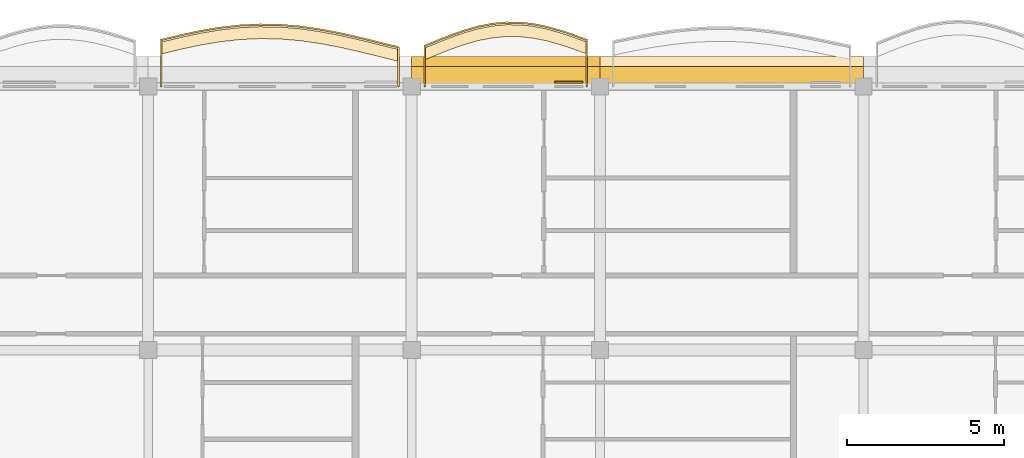
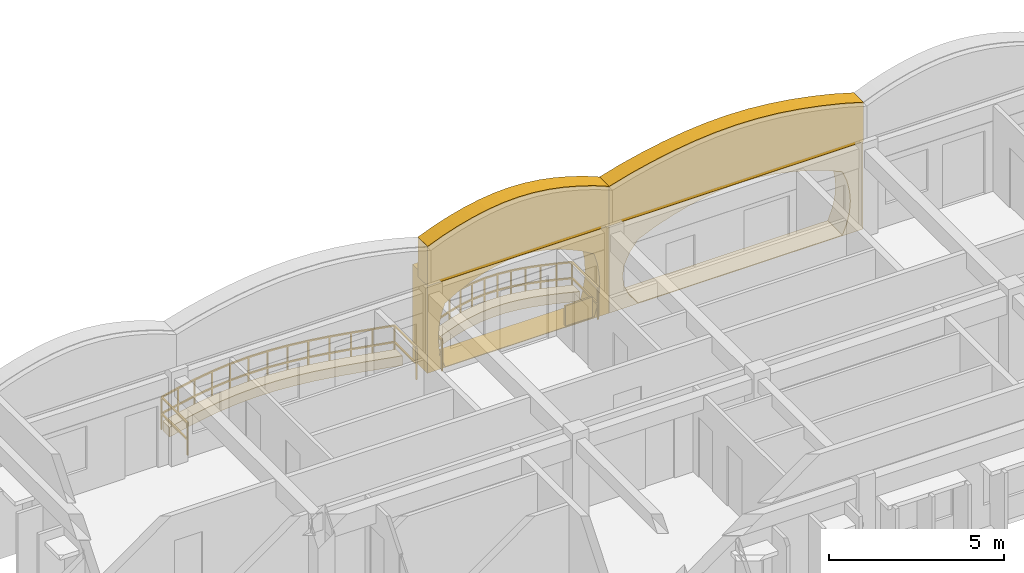
# One storey, part 24 of 28: 7 coverings, 2 railings.
"""IFC4 building model written with IfcOpenShell, lengths in metres."""

from ifc_helpers import new_model, si_unit, direction, frame, origin, origin_2d, place, context, subcontext, project, spatial, polyline, rectangle, outline, extrude, material, layer, layer_set, type_object, element, save


model = new_model("IFC4")

# Units and contexts
model_context = context("Model", 3, precision=1e-05, world=origin(), true_north=direction((0.0, 1.0)))
body_context = subcontext(model_context, "Body", "Model", "MODEL_VIEW")
ifc_project = project(units=[si_unit("LENGTHUNIT", "METRE"), si_unit("AREAUNIT", "SQUARE_METRE"), si_unit("VOLUMEUNIT", "CUBIC_METRE"), si_unit("PLANEANGLEUNIT", "RADIAN"), si_unit("MASSUNIT", "GRAM", prefix="KILO"), si_unit("THERMODYNAMICTEMPERATUREUNIT", "KELVIN")], contexts=[model_context])

# Site, building, storey
site_placement = place(None, origin())
site = spatial("IfcSite", under=ifc_project, at=site_placement, CompositionType="ELEMENT")
building_placement = place(site_placement, origin())
building = spatial("IfcBuilding", under=site, at=building_placement, Name="Thalorik Housing Commons", CompositionType="ELEMENT")
storey_placement = place(building_placement, frame((0.0, 0.0, 41.10009765625)))
storey = spatial("IfcBuildingStorey", under=building, at=storey_placement, Name="L12", CompositionType="ELEMENT", Elevation=41.10009765625)

# Coverings
ifc_material_1 = material(Name="Cobalt blue glazed ceramic facade tile panel", Category="masonry")
ifc_layer_1 = layer(ifc_material_1, 0.06005859375, Name="Cobalt blue glazed ceramic facade tile panel", Category="masonry")
ifc_layer_set_1 = layer_set([ifc_layer_1], Name="Cobalt blue glazed ceramic facade tile panel")
covering_type_1 = type_object("IfcCoveringType", Name="ARC-CLD-BLU-60", PredefinedType="CLADDING", material=ifc_layer_set_1)
covering_1_placement = place(storey_placement, frame((128.6103515625, 123.737548828125, 0.0498046875), z_axis=(0.0, 0.0, 1.0), x_axis=(-1.0, 0.0, 0.0)))
element("IfcCovering", 1, at=covering_1_placement, inside=storey, type_object=covering_type_1, Name="L12 De Stijl Recessed Window Spandrel 3277", PredefinedType="CLADDING", context=body_context, shape_type="SweptSolid", body=[
    extrude(rectangle(XDim=0.89990234375, YDim=0.06005859375, at=origin_2d()), origin(), (0.0, 0.0, 1.0), 0.699951171875),
])
ifc_material_2 = material(Name="Precast concrete C40/50", Category="concrete")
ifc_layer_2 = layer(ifc_material_2, 0.85009765625, Name="Precast concrete C40/50", Category="concrete")
ifc_layer_set_2 = layer_set([ifc_layer_2], Name="Precast concrete C40/50")
covering_type_2 = type_object("IfcCoveringType", Name="ARC-CLD-CUSH-850", PredefinedType="CLADDING", material=ifc_layer_set_2)
covering_2_placement = place(storey_placement, frame((133.800048828125, 124.12744140625, 0.0), z_axis=(0.0, 0.0, 1.0), x_axis=(-1.0, 0.0, 0.0)))
element("IfcCovering", 2, at=covering_2_placement, inside=storey, type_object=covering_type_2, Name="L12 White Precast Curved Cushion Bay Frame 3274", PredefinedType="CLADDING", context=body_context, shape_type="SweptSolid", body=[
    extrude(outline(polyline([(-4.199951171875, 0.0), (4.199951171875, 0.0), (4.199951171875, 3.300048828125), (-4.199951171875, 3.300048828125), (-4.199951171875, 0.0)]), holes=[polyline([(3.239990234375, 0.02490234375), (3.523193359375, 0.394287109375), (3.693359375, 0.76318359375), (3.75, 1.132568359375), (3.693359375, 1.501708984375), (3.523193359375, 1.870849609375), (3.239990234375, 2.239990234375), (2.677001953125, 2.4833984375), (2.1142578125, 2.6748046875), (1.55126953125, 2.82958984375), (0.98828125, 2.94482421875), (0.42529296875, 3.01611328125), (-0.137451171875, 3.0400390625), (-0.700439453125, 3.01611328125), (-1.26318359375, 2.94482421875), (-1.826171875, 2.82958984375), (-2.38916015625, 2.6748046875), (-2.9521484375, 2.4833984375), (-3.514892578125, 2.239990234375), (-3.65966796875, 1.870849609375), (-3.746337890625, 1.501708984375), (-3.775390625, 1.132568359375), (-3.746337890625, 0.76318359375), (-3.65966796875, 0.394287109375), (-3.514892578125, 0.02490234375), (3.239990234375, 0.02490234375)])]), frame((0.0, 0.425048828125, 0.0), z_axis=(0.0, -1.0, 0.0), x_axis=(1.0, 0.0, 0.0)), (0.0, 0.0, 1.0), 0.85009765625),
])
covering_3_placement = place(storey_placement, frame((126.60009765625, 124.12744140625, 0.0), z_axis=(0.0, 0.0, 1.0), x_axis=(-1.0, 0.0, 0.0)))
element("IfcCovering", 3, at=covering_3_placement, inside=storey, type_object=covering_type_2, Name="L12 White Precast Curved Cushion Bay Frame 3276", PredefinedType="CLADDING", context=body_context, shape_type="SweptSolid", body=[
    extrude(outline(polyline([(-3.0, 0.0), (3.0, 0.0), (3.0, 3.300048828125), (-3.0, 3.300048828125), (-3.0, 0.0)]), holes=[polyline([(2.41455078125, 0.02490234375), (2.5380859375, 0.394287109375), (2.6123046875, 0.76318359375), (2.63720703125, 1.132568359375), (2.6123046875, 1.501708984375), (2.5380859375, 1.870849609375), (2.41455078125, 2.239990234375), (2.004150390625, 2.4833984375), (1.59375, 2.6748046875), (1.183349609375, 2.82958984375), (0.77294921875, 2.94482421875), (0.362548828125, 3.01611328125), (-0.0478515625, 3.0400390625), (-0.458251953125, 3.01611328125), (-0.86865234375, 2.94482421875), (-1.279296875, 2.82958984375), (-1.689697265625, 2.6748046875), (-2.10009765625, 2.4833984375), (-2.510498046875, 2.239990234375), (-2.61376953125, 1.870849609375), (-2.67578125, 1.501708984375), (-2.6962890625, 1.132568359375), (-2.67578125, 0.76318359375), (-2.61376953125, 0.394287109375), (-2.510498046875, 0.02490234375), (2.41455078125, 0.02490234375)])]), frame((0.0, 0.425048828125, 0.0), z_axis=(0.0, -1.0, 0.0), x_axis=(1.0, 0.0, 0.0)), (0.0, 0.0, 1.0), 0.85009765625),
])
ifc_layer_3 = layer(ifc_material_2, 0.550048828125, Name="Precast concrete C40/50", Category="concrete")
ifc_layer_set_3 = layer_set([ifc_layer_3], Name="Precast concrete C40/50")
covering_type_3 = type_object("IfcCoveringType", Name="ARC-CLD-PAR-550", PredefinedType="CLADDING", material=ifc_layer_set_3)
covering_4_placement = place(storey_placement, frame((133.800048828125, 123.965087890625, 3.059814453125), z_axis=(0.0, 0.0, 1.0), x_axis=(-1.0, 0.0, 0.0)))
element("IfcCovering", 4, at=covering_4_placement, inside=storey, type_object=covering_type_3, Name="L12 Block B Scalloped White Precast Parapet Crest 3407", PredefinedType="CLADDING", context=body_context, shape_type="SweptSolid", body=[
    extrude(outline(polyline([(-4.199951171875, 0.0), (4.199951171875, 0.0), (4.199951171875, 1.3798828125), (3.5, 1.58154296875), (2.800048828125, 1.744384765625), (2.10009765625, 1.877685546875), (1.39990234375, 1.977294921875), (0.699951171875, 2.0390625), (0.0, 2.06005859375), (-0.699951171875, 2.0390625), (-1.39990234375, 1.977294921875), (-2.10009765625, 1.877685546875), (-2.800048828125, 1.744384765625), (-3.5, 1.58154296875), (-4.199951171875, 1.3798828125), (-4.199951171875, 0.0)])), frame((0.0, 0.27490234375, 0.0), z_axis=(0.0, -1.0, 0.0), x_axis=(1.0, 0.0, 0.0)), (0.0, 0.0, 1.0), 0.550048828125),
])
covering_5_placement = place(storey_placement, frame((126.60009765625, 123.965087890625, 3.059814453125), z_axis=(0.0, 0.0, 1.0), x_axis=(-1.0, 0.0, 0.0)))
element("IfcCovering", 5, at=covering_5_placement, inside=storey, type_object=covering_type_3, Name="L12 Block B Scalloped White Precast Parapet Crest 3408", PredefinedType="CLADDING", context=body_context, shape_type="SweptSolid", body=[
    extrude(outline(polyline([(-3.0, 0.0), (3.0, 0.0), (3.0, 1.3798828125), (2.5, 1.58154296875), (2.0, 1.744384765625), (1.5, 1.877685546875), (1.0, 1.977294921875), (0.5, 2.0390625), (0.0, 2.06005859375), (-0.5, 2.0390625), (-1.0, 1.977294921875), (-1.5, 1.877685546875), (-2.0, 1.744384765625), (-2.5, 1.58154296875), (-3.0, 1.3798828125), (-3.0, 0.0)])), frame((0.0, 0.27490234375, 0.0), z_axis=(0.0, -1.0, 0.0), x_axis=(1.0, 0.0, 0.0)), (0.0, 0.0, 1.0), 0.550048828125),
])
ifc_material_3 = material(Name="Planted vegetated substrate and terracotta trough", Category="masonry")
ifc_layer_4 = layer(ifc_material_3, 0.340087890625, Name="Planted vegetated substrate and terracotta trough", Category="masonry")
ifc_layer_set_4 = layer_set([ifc_layer_4], Name="Planted vegetated substrate and terracotta trough")
covering_type_4 = type_object("IfcCoveringType", Name="ARC-COV-PLANTER", PredefinedType="USERDEFINED", material=ifc_layer_set_4)
covering_6_placement = place(storey_placement, origin())
element("IfcCovering", 6, at=covering_6_placement, inside=storey, type_object=covering_type_4, Name="L12 Balcony Slab-Edge Planted Trough 5559", ObjectType="PLANTER", PredefinedType="USERDEFINED", context=body_context, shape_type="SweptSolid", body=[
    extrude(outline(polyline([(123.179931640625, 124.78271484375), (122.550048828125, 124.938720703125), (121.919921875, 125.0927734375), (121.2900390625, 125.234619140625), (120.659912109375, 125.35400390625), (120.030029296875, 125.443115234375), (119.39990234375, 125.49560546875), (118.77001953125, 125.507080078125), (118.139892578125, 125.477294921875), (117.510009765625, 125.40771484375), (116.8798828125, 125.302978515625), (116.25, 125.170166015625), (115.6201171875, 125.017822265625), (115.6201171875, 124.6376953125), (116.25, 124.7900390625), (116.8798828125, 124.923095703125), (117.510009765625, 125.02783203125), (118.139892578125, 125.097412109375), (118.77001953125, 125.127197265625), (119.39990234375, 125.115478515625), (120.030029296875, 125.063232421875), (120.659912109375, 124.97412109375), (121.2900390625, 124.8544921875), (121.919921875, 124.712890625), (122.550048828125, 124.55859375), (123.179931640625, 124.402587890625), (123.179931640625, 124.78271484375)])), origin(), (0.0, 0.0, 1.0), 0.33984375),
])
covering_7_placement = place(storey_placement, origin())
element("IfcCovering", 7, at=covering_7_placement, inside=storey, type_object=covering_type_4, Name="L12 Balcony Slab-Edge Planted Trough 5560", ObjectType="PLANTER", PredefinedType="USERDEFINED", context=body_context, shape_type="SweptSolid", body=[
    extrude(outline(polyline([(129.179931640625, 125.017578125), (128.75, 125.17578125), (128.320068359375, 125.31884765625), (127.889892578125, 125.43701171875), (127.4599609375, 125.522216796875), (127.030029296875, 125.56787109375), (126.60009765625, 125.570556640625), (126.169921875, 125.529296875), (125.739990234375, 125.446533203125), (125.31005859375, 125.3271484375), (124.8798828125, 125.17822265625), (124.449951171875, 125.009521484375), (124.02001953125, 124.83154296875), (124.02001953125, 124.45166015625), (124.449951171875, 124.62939453125), (124.8798828125, 124.798095703125), (125.31005859375, 124.947021484375), (125.739990234375, 125.066650390625), (126.169921875, 125.1494140625), (126.60009765625, 125.1904296875), (127.030029296875, 125.187744140625), (127.4599609375, 125.14208984375), (127.889892578125, 125.05712890625), (128.320068359375, 124.938720703125), (128.75, 124.795654296875), (129.179931640625, 124.6376953125), (129.179931640625, 125.017578125)])), origin(), (0.0, 0.0, 1.0), 0.33984375),
])

# Railings
ifc_material_4 = material(Name="Steel S355", Category="steel")
railing_type_1 = type_object("IfcRailingType", Name="ARC-RL-BAL-112", PredefinedType="BALUSTRADE", material=ifc_material_4)
railing_1_placement = place(storey_placement, frame((129.179931640625, 123.60009765625, 0.0)))
element("IfcRailing", 8, at=railing_1_placement, inside=storey, type_object=railing_type_1, Name="L12 Cushion Balcony Guardrail 244", PredefinedType="BALUSTRADE", context=body_context, shape_type="SweptSolid", body=[
    extrude(rectangle(XDim=0.050048828125, YDim=0.050048828125, at=origin_2d()), frame((0.0, 0.0, 1.09521484375), z_axis=(0.0, 1.0, 0.0), x_axis=(-1.0, 0.0, 0.0)), (0.0, 0.0, 1.0), 1.487548828125),
    extrude(rectangle(XDim=0.050048828125, YDim=0.050048828125, at=origin_2d()), frame((0.0, 0.0, 0.53515625), z_axis=(0.0, 1.0, 0.0), x_axis=(-1.0, 0.0, 0.0)), (0.0, 0.0, 1.0), 1.487548828125),
    extrude(rectangle(XDim=0.050048828125, YDim=0.050048828125, at=origin_2d()), frame((0.0, 1.487548828125, 1.09521484375), z_axis=(-0.938652153889, 0.34486538533, 0.0), x_axis=(-0.34486538533, -0.938652153889, 0.0)), (0.0, 0.0, 1.0), 0.4580078125),
    extrude(rectangle(XDim=0.050048828125, YDim=0.050048828125, at=origin_2d()), frame((0.0, 1.487548828125, 0.53515625), z_axis=(-0.938652153889, 0.34486538533, 0.0), x_axis=(-0.34486538533, -0.938652153889, 0.0)), (0.0, 0.0, 1.0), 0.4580078125),
    extrude(rectangle(XDim=0.050048828125, YDim=0.050048828125, at=origin_2d()), frame((-0.429931640625, 1.6455078125, 1.09521484375), z_axis=(-0.948683298051, 0.316227766017, 0.0), x_axis=(-0.316227766017, -0.948683298051, 0.0)), (0.0, 0.0, 1.0), 0.453125),
    extrude(rectangle(XDim=0.050048828125, YDim=0.050048828125, at=origin_2d()), frame((-0.429931640625, 1.6455078125, 0.53515625), z_axis=(-0.948683298051, 0.316227766017, 0.0), x_axis=(-0.316227766017, -0.948683298051, 0.0)), (0.0, 0.0, 1.0), 0.453125),
    extrude(rectangle(XDim=0.050048828125, YDim=0.050048828125, at=origin_2d()), frame((-0.85986328125, 1.788818359375, 1.09521484375), z_axis=(-0.964282306479, 0.264876638102, 0.0), x_axis=(-0.264876638102, -0.964282306479, 0.0)), (0.0, 0.0, 1.0), 0.446044921875),
    extrude(rectangle(XDim=0.050048828125, YDim=0.050048828125, at=origin_2d()), frame((-0.85986328125, 1.788818359375, 0.53515625), z_axis=(-0.964282306479, 0.264876638102, 0.0), x_axis=(-0.264876638102, -0.964282306479, 0.0)), (0.0, 0.0, 1.0), 0.446044921875),
    extrude(rectangle(XDim=0.050048828125, YDim=0.050048828125, at=origin_2d()), frame((-1.2900390625, 1.906982421875, 1.09521484375), z_axis=(-0.981028048733, 0.193865849494, 0.0), x_axis=(-0.193865849494, -0.981028048733, 0.0)), (0.0, 0.0, 1.0), 0.438232421875),
    extrude(rectangle(XDim=0.050048828125, YDim=0.050048828125, at=origin_2d()), frame((-1.2900390625, 1.906982421875, 0.53515625), z_axis=(-0.981028048733, 0.193865849494, 0.0), x_axis=(-0.193865849494, -0.981028048733, 0.0)), (0.0, 0.0, 1.0), 0.438232421875),
    extrude(rectangle(XDim=0.050048828125, YDim=0.050048828125, at=origin_2d()), frame((-1.719970703125, 1.991943359375, 1.09521484375), z_axis=(-0.994409116474, 0.105595970915, 0.0), x_axis=(-0.105595970915, -0.994409116474, 0.0)), (0.0, 0.0, 1.0), 0.432373046875),
    extrude(rectangle(XDim=0.050048828125, YDim=0.050048828125, at=origin_2d()), frame((-1.719970703125, 1.991943359375, 0.53515625), z_axis=(-0.994409116474, 0.105595970915, 0.0), x_axis=(-0.105595970915, -0.994409116474, 0.0)), (0.0, 0.0, 1.0), 0.432373046875),
    extrude(rectangle(XDim=0.050048828125, YDim=0.050048828125, at=origin_2d()), frame((-2.14990234375, 2.03759765625, 1.09521484375), z_axis=(-0.999980491497, 0.006246329021, 0.0), x_axis=(-0.006246329021, -0.999980491497, 0.0)), (0.0, 0.0, 1.0), 0.429931640625),
    extrude(rectangle(XDim=0.050048828125, YDim=0.050048828125, at=origin_2d()), frame((-2.14990234375, 2.03759765625, 0.53515625), z_axis=(-0.999980491497, 0.006246329021, 0.0), x_axis=(-0.006246329021, -0.999980491497, 0.0)), (0.0, 0.0, 1.0), 0.429931640625),
    extrude(rectangle(XDim=0.050048828125, YDim=0.050048828125, at=origin_2d()), frame((-2.579833984375, 2.040283203125, 1.09521484375), z_axis=(-0.995485310034, -0.094915738982, 0.0), x_axis=(0.094915738982, -0.995485310034, 0.0)), (0.0, 0.0, 1.0), 0.43212890625),
    extrude(rectangle(XDim=0.050048828125, YDim=0.050048828125, at=origin_2d()), frame((-2.579833984375, 2.040283203125, 0.53515625), z_axis=(-0.995485310034, -0.094915738982, 0.0), x_axis=(0.094915738982, -0.995485310034, 0.0)), (0.0, 0.0, 1.0), 0.43212890625),
    extrude(rectangle(XDim=0.050048828125, YDim=0.050048828125, at=origin_2d()), frame((-3.010009765625, 1.999267578125, 1.09521484375), z_axis=(-0.98197063341, -0.189033529089, 0.0), x_axis=(0.189033529089, -0.98197063341, 0.0)), (0.0, 0.0, 1.0), 0.437744140625),
    extrude(rectangle(XDim=0.050048828125, YDim=0.050048828125, at=origin_2d()), frame((-3.010009765625, 1.999267578125, 0.53515625), z_axis=(-0.98197063341, -0.189033529089, 0.0), x_axis=(0.189033529089, -0.98197063341, 0.0)), (0.0, 0.0, 1.0), 0.437744140625),
    extrude(rectangle(XDim=0.050048828125, YDim=0.050048828125, at=origin_2d()), frame((-3.43994140625, 1.91650390625, 1.09521484375), z_axis=(-0.963541422637, -0.267559202538, 0.0), x_axis=(0.267559202538, -0.963541422637, 0.0)), (0.0, 0.0, 1.0), 0.4462890625),
    extrude(rectangle(XDim=0.050048828125, YDim=0.050048828125, at=origin_2d()), frame((-3.43994140625, 1.91650390625, 0.53515625), z_axis=(-0.963541422637, -0.267559202538, 0.0), x_axis=(0.267559202538, -0.963541422637, 0.0)), (0.0, 0.0, 1.0), 0.4462890625),
    extrude(rectangle(XDim=0.050048828125, YDim=0.050048828125, at=origin_2d()), frame((-3.869873046875, 1.797119140625, 1.09521484375), z_axis=(-0.944973320371, -0.327147403761, 0.0), x_axis=(0.327147403761, -0.944973320371, 0.0)), (0.0, 0.0, 1.0), 0.455322265625),
    extrude(rectangle(XDim=0.050048828125, YDim=0.050048828125, at=origin_2d()), frame((-3.869873046875, 1.797119140625, 0.53515625), z_axis=(-0.944973320371, -0.327147403761, 0.0), x_axis=(0.327147403761, -0.944973320371, 0.0)), (0.0, 0.0, 1.0), 0.455322265625),
    extrude(rectangle(XDim=0.050048828125, YDim=0.050048828125, at=origin_2d()), frame((-4.300048828125, 1.648193359375, 1.09521484375), z_axis=(-0.930899197283, -0.365276175651, 0.0), x_axis=(0.365276175651, -0.930899197283, 0.0)), (0.0, 0.0, 1.0), 0.4619140625),
    extrude(rectangle(XDim=0.050048828125, YDim=0.050048828125, at=origin_2d()), frame((-4.300048828125, 1.648193359375, 0.53515625), z_axis=(-0.930899197283, -0.365276175651, 0.0), x_axis=(0.365276175651, -0.930899197283, 0.0)), (0.0, 0.0, 1.0), 0.4619140625),
    extrude(rectangle(XDim=0.050048828125, YDim=0.050048828125, at=origin_2d()), frame((-4.72998046875, 1.4794921875, 1.09521484375), z_axis=(-0.923959293734, -0.382490814953, 0.0), x_axis=(0.382490814953, -0.923959293734, 0.0)), (0.0, 0.0, 1.0), 0.46533203125),
    extrude(rectangle(XDim=0.050048828125, YDim=0.050048828125, at=origin_2d()), frame((-4.72998046875, 1.4794921875, 0.53515625), z_axis=(-0.923959293734, -0.382490814953, 0.0), x_axis=(0.382490814953, -0.923959293734, 0.0)), (0.0, 0.0, 1.0), 0.46533203125),
    extrude(rectangle(XDim=0.050048828125, YDim=0.050048828125, at=origin_2d()), frame((-5.159912109375, 1.301513671875, 1.09521484375), z_axis=(0.0, -1.0, 0.0), x_axis=(1.0, 0.0, 0.0)), (0.0, 0.0, 1.0), 1.301513671875),
    extrude(rectangle(XDim=0.050048828125, YDim=0.050048828125, at=origin_2d()), frame((-5.159912109375, 1.301513671875, 0.53515625), z_axis=(0.0, -1.0, 0.0), x_axis=(1.0, 0.0, 0.0)), (0.0, 0.0, 1.0), 1.301513671875),
    extrude(rectangle(XDim=0.0419921875, YDim=0.0419921875, at=origin_2d()), origin(), (0.0, 0.0, 1.0), 1.070068359375),
    extrude(rectangle(XDim=0.0419921875, YDim=0.0419921875, at=origin_2d()), frame((0.0, 1.487548828125, 0.0)), (0.0, 0.0, 1.0), 1.070068359375),
    extrude(rectangle(XDim=0.0419921875, YDim=0.0419921875, at=origin_2d()), frame((-0.429931640625, 1.6455078125, 0.0)), (0.0, 0.0, 1.0), 1.070068359375),
    extrude(rectangle(XDim=0.0419921875, YDim=0.0419921875, at=origin_2d()), frame((-0.85986328125, 1.788818359375, 0.0)), (0.0, 0.0, 1.0), 1.070068359375),
    extrude(rectangle(XDim=0.0419921875, YDim=0.0419921875, at=origin_2d()), frame((-1.2900390625, 1.906982421875, 0.0)), (0.0, 0.0, 1.0), 1.070068359375),
    extrude(rectangle(XDim=0.0419921875, YDim=0.0419921875, at=origin_2d()), frame((-1.719970703125, 1.991943359375, 0.0)), (0.0, 0.0, 1.0), 1.070068359375),
    extrude(rectangle(XDim=0.0419921875, YDim=0.0419921875, at=origin_2d()), frame((-2.14990234375, 2.03759765625, 0.0)), (0.0, 0.0, 1.0), 1.070068359375),
    extrude(rectangle(XDim=0.0419921875, YDim=0.0419921875, at=origin_2d()), frame((-2.579833984375, 2.040283203125, 0.0)), (0.0, 0.0, 1.0), 1.070068359375),
    extrude(rectangle(XDim=0.0419921875, YDim=0.0419921875, at=origin_2d()), frame((-3.010009765625, 1.999267578125, 0.0)), (0.0, 0.0, 1.0), 1.070068359375),
    extrude(rectangle(XDim=0.0419921875, YDim=0.0419921875, at=origin_2d()), frame((-3.43994140625, 1.91650390625, 0.0)), (0.0, 0.0, 1.0), 1.070068359375),
    extrude(rectangle(XDim=0.0419921875, YDim=0.0419921875, at=origin_2d()), frame((-3.869873046875, 1.797119140625, 0.0)), (0.0, 0.0, 1.0), 1.070068359375),
    extrude(rectangle(XDim=0.0419921875, YDim=0.0419921875, at=origin_2d()), frame((-4.300048828125, 1.648193359375, 0.0)), (0.0, 0.0, 1.0), 1.070068359375),
    extrude(rectangle(XDim=0.0419921875, YDim=0.0419921875, at=origin_2d()), frame((-4.72998046875, 1.4794921875, 0.0)), (0.0, 0.0, 1.0), 1.070068359375),
    extrude(rectangle(XDim=0.0419921875, YDim=0.0419921875, at=origin_2d()), frame((-5.159912109375, 1.301513671875, 0.0)), (0.0, 0.0, 1.0), 1.070068359375),
    extrude(rectangle(XDim=0.0419921875, YDim=0.0419921875, at=origin_2d()), frame((-5.159912109375, 0.0, 0.0)), (0.0, 0.0, 1.0), 1.070068359375),
])
railing_type_2 = type_object("IfcRailingType", Name="ARC-RL-BAL-115", PredefinedType="BALUSTRADE", material=ifc_material_4)
railing_2_placement = place(storey_placement, frame((123.179931640625, 123.60009765625, 0.0)))
element("IfcRailing", 9, at=railing_2_placement, inside=storey, type_object=railing_type_2, Name="L12 Cushion Balcony Guardrail 243", PredefinedType="BALUSTRADE", context=body_context, shape_type="SweptSolid", body=[
    extrude(rectangle(XDim=0.050048828125, YDim=0.050048828125, at=origin_2d()), frame((0.0, 0.0, 1.125), z_axis=(0.0, 1.0, 0.0), x_axis=(-1.0, 0.0, 0.0)), (0.0, 0.0, 1.0), 1.25244140625),
    extrude(rectangle(XDim=0.050048828125, YDim=0.050048828125, at=origin_2d()), frame((0.0, 0.0, 0.5498046875), z_axis=(0.0, 1.0, 0.0), x_axis=(-1.0, 0.0, 0.0)), (0.0, 0.0, 1.0), 1.25244140625),
    extrude(rectangle(XDim=0.050048828125, YDim=0.050048828125, at=origin_2d()), frame((0.0, 1.25244140625, 1.125), z_axis=(-0.970583467402, 0.240764891139, 0.0), x_axis=(-0.240764891139, -0.970583467402, 0.0)), (0.0, 0.0, 1.0), 0.64892578125),
    extrude(rectangle(XDim=0.050048828125, YDim=0.050048828125, at=origin_2d()), frame((0.0, 1.25244140625, 0.5498046875), z_axis=(-0.970583467402, 0.240764891139, 0.0), x_axis=(-0.240764891139, -0.970583467402, 0.0)), (0.0, 0.0, 1.0), 0.64892578125),
    extrude(rectangle(XDim=0.050048828125, YDim=0.050048828125, at=origin_2d()), frame((-0.6298828125, 1.40869140625, 1.125), z_axis=(-0.971391289327, 0.237484658491, 0.0), x_axis=(-0.237484658491, -0.971391289328, 0.0)), (0.0, 0.0, 1.0), 0.648681640625),
    extrude(rectangle(XDim=0.050048828125, YDim=0.050048828125, at=origin_2d()), frame((-0.6298828125, 1.40869140625, 0.5498046875), z_axis=(-0.971391289327, 0.237484658491, 0.0), x_axis=(-0.237484658491, -0.971391289328, 0.0)), (0.0, 0.0, 1.0), 0.648681640625),
    extrude(rectangle(XDim=0.050048828125, YDim=0.050048828125, at=origin_2d()), frame((-1.260009765625, 1.562744140625, 1.125), z_axis=(-0.975569249929, 0.219692145042, 0.0), x_axis=(-0.219692145042, -0.975569249929, 0.0)), (0.0, 0.0, 1.0), 0.645751953125),
    extrude(rectangle(XDim=0.050048828125, YDim=0.050048828125, at=origin_2d()), frame((-1.260009765625, 1.562744140625, 0.5498046875), z_axis=(-0.975569249929, 0.219692145042, 0.0), x_axis=(-0.219692145042, -0.975569249929, 0.0)), (0.0, 0.0, 1.0), 0.645751953125),
    extrude(rectangle(XDim=0.050048828125, YDim=0.050048828125, at=origin_2d()), frame((-1.889892578125, 1.70458984375, 1.125), z_axis=(-0.982521352242, 0.186149919119, 0.0), x_axis=(-0.186149919119, -0.982521352242, 0.0)), (0.0, 0.0, 1.0), 0.641357421875),
    extrude(rectangle(XDim=0.050048828125, YDim=0.050048828125, at=origin_2d()), frame((-1.889892578125, 1.70458984375, 0.5498046875), z_axis=(-0.982521352242, 0.186149919119, 0.0), x_axis=(-0.186149919119, -0.982521352242, 0.0)), (0.0, 0.0, 1.0), 0.641357421875),
    extrude(rectangle(XDim=0.050048828125, YDim=0.050048828125, at=origin_2d()), frame((-2.52001953125, 1.823974609375, 1.125), z_axis=(-0.990140470078, 0.14007801224, 0.0), x_axis=(-0.14007801224, -0.990140470078, 0.0)), (0.0, 0.0, 1.0), 0.63623046875),
    extrude(rectangle(XDim=0.050048828125, YDim=0.050048828125, at=origin_2d()), frame((-2.52001953125, 1.823974609375, 0.5498046875), z_axis=(-0.990140470078, 0.14007801224, 0.0), x_axis=(-0.14007801224, -0.990140470078, 0.0)), (0.0, 0.0, 1.0), 0.63623046875),
    extrude(rectangle(XDim=0.050048828125, YDim=0.050048828125, at=origin_2d()), frame((-3.14990234375, 1.9130859375, 1.125), z_axis=(-0.996580289475, 0.082630058872, 0.0), x_axis=(-0.082630058872, -0.996580289475, 0.0)), (0.0, 0.0, 1.0), 0.63232421875),
    extrude(rectangle(XDim=0.050048828125, YDim=0.050048828125, at=origin_2d()), frame((-3.14990234375, 1.9130859375, 0.5498046875), z_axis=(-0.996580289475, 0.082630058872, 0.0), x_axis=(-0.082630058872, -0.996580289475, 0.0)), (0.0, 0.0, 1.0), 0.63232421875),
    extrude(rectangle(XDim=0.050048828125, YDim=0.050048828125, at=origin_2d()), frame((-3.780029296875, 1.96533203125, 1.125), z_axis=(-0.999826978393, 0.018601432156, 0.0), x_axis=(-0.018601432156, -0.999826978393, 0.0)), (0.0, 0.0, 1.0), 0.6298828125),
    extrude(rectangle(XDim=0.050048828125, YDim=0.050048828125, at=origin_2d()), frame((-3.780029296875, 1.96533203125, 0.5498046875), z_axis=(-0.999826978393, 0.018601432156, 0.0), x_axis=(-0.018601432156, -0.999826978393, 0.0)), (0.0, 0.0, 1.0), 0.6298828125),
    extrude(rectangle(XDim=0.050048828125, YDim=0.050048828125, at=origin_2d()), frame((-4.409912109375, 1.97705078125, 1.125), z_axis=(-0.998884713002, -0.047215782637, 0.0), x_axis=(0.047215782637, -0.998884713002, 0.0)), (0.0, 0.0, 1.0), 0.630859375),
    extrude(rectangle(XDim=0.050048828125, YDim=0.050048828125, at=origin_2d()), frame((-4.409912109375, 1.97705078125, 0.5498046875), z_axis=(-0.998884713002, -0.047215782637, 0.0), x_axis=(0.047215782637, -0.998884713002, 0.0)), (0.0, 0.0, 1.0), 0.630859375),
    extrude(rectangle(XDim=0.050048828125, YDim=0.050048828125, at=origin_2d()), frame((-5.0400390625, 1.947265625, 1.125), z_axis=(-0.993954005493, -0.109797244793, 0.0), x_axis=(0.109797244793, -0.993954005493, 0.0)), (0.0, 0.0, 1.0), 0.6337890625),
    extrude(rectangle(XDim=0.050048828125, YDim=0.050048828125, at=origin_2d()), frame((-5.0400390625, 1.947265625, 0.5498046875), z_axis=(-0.993954005493, -0.109797244793, 0.0), x_axis=(0.109797244793, -0.993954005493, 0.0)), (0.0, 0.0, 1.0), 0.6337890625),
    extrude(rectangle(XDim=0.050048828125, YDim=0.050048828125, at=origin_2d()), frame((-5.669921875, 1.877685546875, 1.125), z_axis=(-0.98646613711, -0.163965119264, 0.0), x_axis=(0.163965119264, -0.98646613711, 0.0)), (0.0, 0.0, 1.0), 0.638671875),
    extrude(rectangle(XDim=0.050048828125, YDim=0.050048828125, at=origin_2d()), frame((-5.669921875, 1.877685546875, 0.5498046875), z_axis=(-0.98646613711, -0.163965119264, 0.0), x_axis=(0.163965119264, -0.98646613711, 0.0)), (0.0, 0.0, 1.0), 0.638671875),
    extrude(rectangle(XDim=0.050048828125, YDim=0.050048828125, at=origin_2d()), frame((-6.300048828125, 1.77294921875, 1.125), z_axis=(-0.978408728904, -0.206679363276, 0.0), x_axis=(0.206679363276, -0.978408728904, 0.0)), (0.0, 0.0, 1.0), 0.643798828125),
    extrude(rectangle(XDim=0.050048828125, YDim=0.050048828125, at=origin_2d()), frame((-6.300048828125, 1.77294921875, 0.5498046875), z_axis=(-0.978408728904, -0.206679363276, 0.0), x_axis=(0.206679363276, -0.978408728904, 0.0)), (0.0, 0.0, 1.0), 0.643798828125),
    extrude(rectangle(XDim=0.050048828125, YDim=0.050048828125, at=origin_2d()), frame((-6.929931640625, 1.639892578125, 1.125), z_axis=(-0.972061461367, -0.23472646916, 0.0), x_axis=(0.23472646916, -0.972061461367, 0.0)), (0.0, 0.0, 1.0), 0.64794921875),
    extrude(rectangle(XDim=0.050048828125, YDim=0.050048828125, at=origin_2d()), frame((-6.929931640625, 1.639892578125, 0.5498046875), z_axis=(-0.972061461367, -0.23472646916, 0.0), x_axis=(0.23472646916, -0.972061461367, 0.0)), (0.0, 0.0, 1.0), 0.64794921875),
    extrude(rectangle(XDim=0.050048828125, YDim=0.050048828125, at=origin_2d()), frame((-7.559814453125, 1.48779296875, 1.125), z_axis=(0.0, -1.0, 0.0), x_axis=(1.0, 0.0, 0.0)), (0.0, 0.0, 1.0), 1.48779296875),
    extrude(rectangle(XDim=0.050048828125, YDim=0.050048828125, at=origin_2d()), frame((-7.559814453125, 1.48779296875, 0.5498046875), z_axis=(0.0, -1.0, 0.0), x_axis=(1.0, 0.0, 0.0)), (0.0, 0.0, 1.0), 1.48779296875),
    extrude(rectangle(XDim=0.0419921875, YDim=0.0419921875, at=origin_2d()), origin(), (0.0, 0.0, 1.0), 1.099853515625),
    extrude(rectangle(XDim=0.0419921875, YDim=0.0419921875, at=origin_2d()), frame((0.0, 1.25244140625, 0.0)), (0.0, 0.0, 1.0), 1.099853515625),
    extrude(rectangle(XDim=0.0419921875, YDim=0.0419921875, at=origin_2d()), frame((-0.6298828125, 1.40869140625, 0.0)), (0.0, 0.0, 1.0), 1.099853515625),
    extrude(rectangle(XDim=0.0419921875, YDim=0.0419921875, at=origin_2d()), frame((-1.260009765625, 1.562744140625, 0.0)), (0.0, 0.0, 1.0), 1.099853515625),
    extrude(rectangle(XDim=0.0419921875, YDim=0.0419921875, at=origin_2d()), frame((-1.889892578125, 1.70458984375, 0.0)), (0.0, 0.0, 1.0), 1.099853515625),
    extrude(rectangle(XDim=0.0419921875, YDim=0.0419921875, at=origin_2d()), frame((-2.52001953125, 1.823974609375, 0.0)), (0.0, 0.0, 1.0), 1.099853515625),
    extrude(rectangle(XDim=0.0419921875, YDim=0.0419921875, at=origin_2d()), frame((-3.14990234375, 1.9130859375, 0.0)), (0.0, 0.0, 1.0), 1.099853515625),
    extrude(rectangle(XDim=0.0419921875, YDim=0.0419921875, at=origin_2d()), frame((-3.780029296875, 1.96533203125, 0.0)), (0.0, 0.0, 1.0), 1.099853515625),
    extrude(rectangle(XDim=0.0419921875, YDim=0.0419921875, at=origin_2d()), frame((-4.409912109375, 1.97705078125, 0.0)), (0.0, 0.0, 1.0), 1.099853515625),
    extrude(rectangle(XDim=0.0419921875, YDim=0.0419921875, at=origin_2d()), frame((-5.0400390625, 1.947265625, 0.0)), (0.0, 0.0, 1.0), 1.099853515625),
    extrude(rectangle(XDim=0.0419921875, YDim=0.0419921875, at=origin_2d()), frame((-5.669921875, 1.877685546875, 0.0)), (0.0, 0.0, 1.0), 1.099853515625),
    extrude(rectangle(XDim=0.0419921875, YDim=0.0419921875, at=origin_2d()), frame((-6.300048828125, 1.77294921875, 0.0)), (0.0, 0.0, 1.0), 1.099853515625),
    extrude(rectangle(XDim=0.0419921875, YDim=0.0419921875, at=origin_2d()), frame((-6.929931640625, 1.639892578125, 0.0)), (0.0, 0.0, 1.0), 1.099853515625),
    extrude(rectangle(XDim=0.0419921875, YDim=0.0419921875, at=origin_2d()), frame((-7.559814453125, 1.48779296875, 0.0)), (0.0, 0.0, 1.0), 1.099853515625),
    extrude(rectangle(XDim=0.0419921875, YDim=0.0419921875, at=origin_2d()), frame((-7.559814453125, 0.0, 0.0)), (0.0, 0.0, 1.0), 1.099853515625),
])

save(model, "model.ifc")
